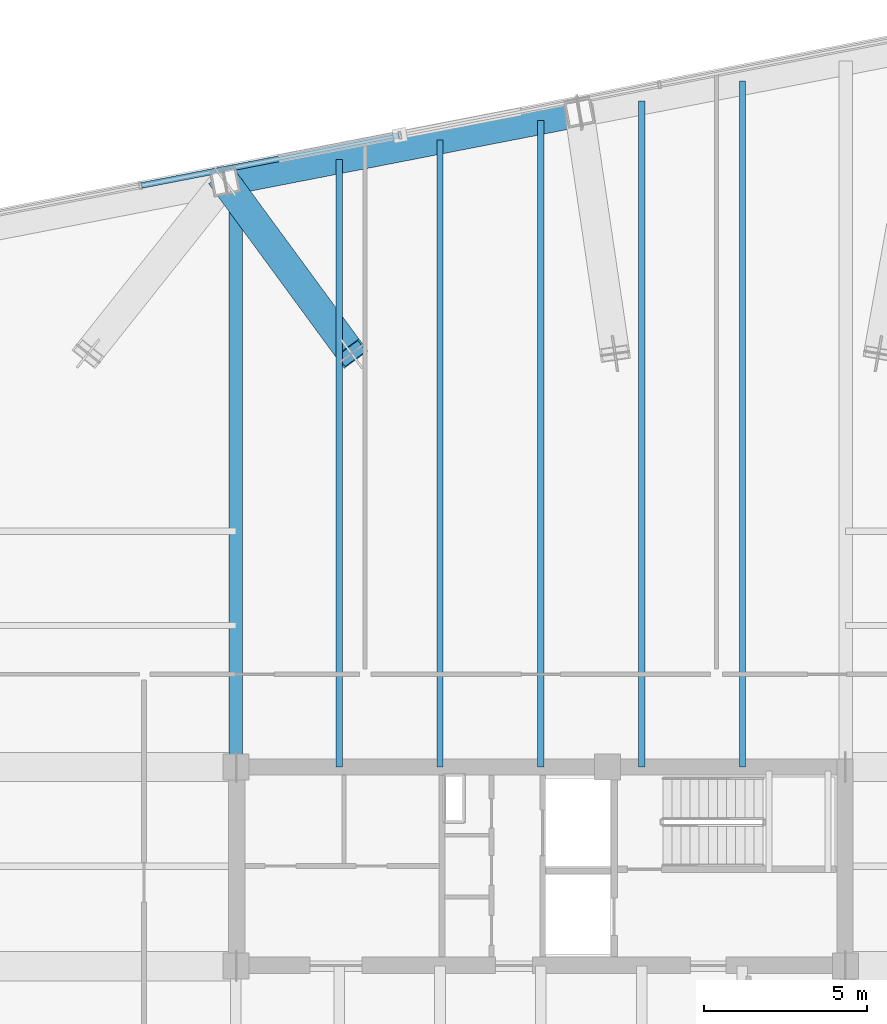
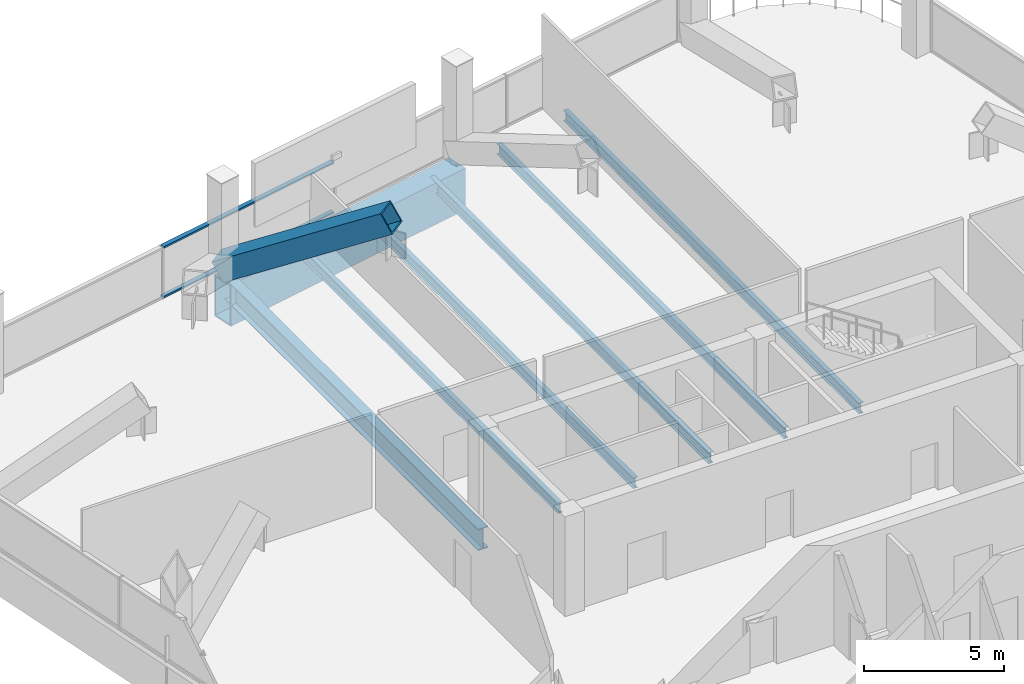
# One storey, part 13 of 26: 7 beams, 3 members, 1 element without a shape of its own.
"""IFC4 building model written with IfcOpenShell, lengths in metres."""

from ifc_helpers import new_model, si_unit, direction, frame, origin, origin_2d, place, context, subcontext, project, spatial, hollow_rectangle, i_section, extrude, material, layer, layer_set, material_profile, profile_set, type_object, element, aggregate, save


model = new_model("IFC4")

# Units and contexts
model_context = context("Model", 3, precision=1e-05, world=origin(), true_north=direction((0.0, 1.0)))
body_context = subcontext(model_context, "Body", "Model", "MODEL_VIEW")
ifc_project = project(units=[si_unit("LENGTHUNIT", "METRE"), si_unit("AREAUNIT", "SQUARE_METRE"), si_unit("VOLUMEUNIT", "CUBIC_METRE"), si_unit("PLANEANGLEUNIT", "RADIAN"), si_unit("MASSUNIT", "GRAM", prefix="KILO")], contexts=[model_context])

# Site, building, storey
site_placement = place(None, origin())
site = spatial("IfcSite", under=ifc_project, at=site_placement, CompositionType="ELEMENT")
building_placement = place(site_placement, origin())
building = spatial("IfcBuilding", under=site, at=building_placement, Name="Qhalaya Broadcast Tower", CompositionType="ELEMENT")
storey_placement = place(building_placement, frame((0.0, 0.0, 140.25)))
storey = spatial("IfcBuildingStorey", under=building, at=storey_placement, Name="L41", CompositionType="ELEMENT", Elevation=140.25)

# Beams
ifc_material_1 = material(Name="Structural Steel ASTM A572 Grade 50", Category="steel")
ifc_material_profile_1 = material_profile(ifc_material_1, hollow_rectangle(XDim=0.89990234375, YDim=1.800048828125, WallThickness=0.06005859375, at=origin_2d()), Name="BOX 900x1800x60")
ifc_profile_set_1 = profile_set([ifc_material_profile_1], Name="Structural Steel ASTM A572 Grade 50")
beam_type_1 = type_object("IfcBeamType", Name="Block Cantilever Transfer Box Girder TG1", PredefinedType="USERDEFINED", material=ifc_profile_set_1)
beam_1_placement = place(storey_placement, frame((1.183349609375, 30.078369140625, -1.1201171875), z_axis=(-0.981627979352, -0.190804900759, 0.0), x_axis=(0.190804900759, -0.981627979352, 0.0)))
element("IfcBeam", 1, at=beam_1_placement, inside=storey, type_object=beam_type_1, Name="L41 TG1 L41-SPR-10", ObjectType="GIRDER", PredefinedType="USERDEFINED", context=body_context, shape_type="SweptSolid", body=[
    extrude(hollow_rectangle(XDim=0.89990234375, YDim=1.800048828125, WallThickness=0.06005859375, at=origin_2d()), origin(), (0.0, 0.0, 1.0), 11.099853515625),
])
ifc_material_2 = material(Name="Structural Steel ASTM A992 Grade 50", Category="steel")
ifc_material_profile_2 = material_profile(ifc_material_2, i_section(OverallWidth=0.19189453125, OverallDepth=0.462890625, WebThickness=0.010498046875, FlangeThickness=0.017578125, at=origin_2d()), Name="W18X60")
ifc_profile_set_2 = profile_set([ifc_material_profile_2], Name="Structural Steel ASTM A992 Grade 50")
beam_type_2 = type_object("IfcBeamType", Name="Composite Floor Joist J03", PredefinedType="JOIST", material=ifc_profile_set_2)
beam_2_placement = place(storey_placement, frame((-6.199951171875, 9.949951171875, -0.451416015625), z_axis=(0.0, 1.0, 0.0), x_axis=(-1.0, 0.0, 0.0)))
element("IfcBeam", 2, at=beam_2_placement, inside=storey, type_object=beam_type_2, Name="L41 J03 L41-JNN1-1", PredefinedType="JOIST", context=body_context, shape_type="SweptSolid", body=[
    extrude(i_section(OverallWidth=0.19189453125, OverallDepth=0.462890625, WebThickness=0.010498046875, FlangeThickness=0.017578125, at=origin_2d()), origin(), (0.0, 0.0, 1.0), 18.6728515625),
])
beam_3_placement = place(storey_placement, frame((-3.10009765625, 9.949951171875, -0.451416015625), z_axis=(0.0, 1.0, 0.0), x_axis=(-1.0, 0.0, 0.0)))
element("IfcBeam", 3, at=beam_3_placement, inside=storey, type_object=beam_type_2, Name="L41 J03 L41-JNN2-1", PredefinedType="JOIST", context=body_context, shape_type="SweptSolid", body=[
    extrude(i_section(OverallWidth=0.19189453125, OverallDepth=0.462890625, WebThickness=0.010498046875, FlangeThickness=0.017578125, at=origin_2d()), origin(), (0.0, 0.0, 1.0), 19.275390625),
])
beam_4_placement = place(storey_placement, frame((0.0, 9.949951171875, -0.451416015625), z_axis=(0.0, 1.0, 0.0), x_axis=(-1.0, 0.0, 0.0)))
element("IfcBeam", 4, at=beam_4_placement, inside=storey, type_object=beam_type_2, Name="L41 J03 L41-JNN3-1", PredefinedType="JOIST", context=body_context, shape_type="SweptSolid", body=[
    extrude(i_section(OverallWidth=0.19189453125, OverallDepth=0.462890625, WebThickness=0.010498046875, FlangeThickness=0.017578125, at=origin_2d()), origin(), (0.0, 0.0, 1.0), 19.8779296875),
])
beam_5_placement = place(storey_placement, frame((3.10009765625, 9.949951171875, -0.451416015625), z_axis=(0.0, 1.0, 0.0), x_axis=(-1.0, 0.0, 0.0)))
element("IfcBeam", 5, at=beam_5_placement, inside=storey, type_object=beam_type_2, Name="L41 J03 L41-JNN4-1", PredefinedType="JOIST", context=body_context, shape_type="SweptSolid", body=[
    extrude(i_section(OverallWidth=0.19189453125, OverallDepth=0.462890625, WebThickness=0.010498046875, FlangeThickness=0.017578125, at=origin_2d()), origin(), (0.0, 0.0, 1.0), 20.480712890625),
])
beam_6_placement = place(storey_placement, frame((6.199951171875, 9.949951171875, -0.451416015625), z_axis=(0.0, 1.0, 0.0), x_axis=(-1.0, 0.0, 0.0)))
element("IfcBeam", 6, at=beam_6_placement, inside=storey, type_object=beam_type_2, Name="L41 J03 L41-JNN5-1", PredefinedType="JOIST", context=body_context, shape_type="SweptSolid", body=[
    extrude(i_section(OverallWidth=0.19189453125, OverallDepth=0.462890625, WebThickness=0.010498046875, FlangeThickness=0.017578125, at=origin_2d()), origin(), (0.0, 0.0, 1.0), 21.083251953125),
])

# Member
ifc_material_profile_3 = material_profile(ifc_material_1, hollow_rectangle(XDim=0.89990234375, YDim=0.89990234375, WallThickness=0.054931640625, at=origin_2d()), Name="BOX 900x900x55")
ifc_profile_set_3 = profile_set([ifc_material_profile_3], Name="Structural Steel ASTM A572 Grade 50")
member_type_1 = type_object("IfcMemberType", Name="Heavy Exoskeleton Transfer Strut RK1", PredefinedType="BRACE", material=ifc_profile_set_3)
member_1_placement = place(storey_placement, frame((-9.712646484375, 27.96044921875, 0.3955078125), z_axis=(0.507258057504, -0.69073505309, 0.515339062685), x_axis=(0.806004706234, 0.591909126074, 0.0)))
element("IfcMember", 7, at=member_1_placement, inside=storey, type_object=member_type_1, Name="L41 Inclined Exoskeleton Transfer Strut 11", PredefinedType="BRACE", context=body_context, shape_type="SweptSolid", body=[
    extrude(hollow_rectangle(XDim=0.89990234375, YDim=0.89990234375, WallThickness=0.054931640625, at=origin_2d()), origin(), (0.0, 0.0, 1.0), 7.673828125),
])

# Beam
ifc_material_profile_4 = material_profile(ifc_material_2, i_section(OverallWidth=0.4189453125, OverallDepth=0.927001953125, WebThickness=0.019287109375, FlangeThickness=0.031982421875, at=origin_2d()), Name="W36X231")
ifc_profile_set_4 = profile_set([ifc_material_profile_4], Name="Structural Steel ASTM A992 Grade 50")
beam_type_3 = type_object("IfcBeamType", Name="Mid Block Primary Girder PG3", PredefinedType="USERDEFINED", material=ifc_profile_set_4)
beam_7_placement = place(storey_placement, frame((-9.375, 9.949951171875, -0.68359375), z_axis=(0.0, 1.0, 0.0), x_axis=(-1.0, 0.0, 0.0)))
element("IfcBeam", 8, at=beam_7_placement, inside=storey, type_object=beam_type_3, Name="L41 PG3 L41-PGXN1-1", ObjectType="GIRDER", PredefinedType="USERDEFINED", context=body_context, shape_type="SweptSolid", body=[
    extrude(i_section(OverallWidth=0.4189453125, OverallDepth=0.927001953125, WebThickness=0.019287109375, FlangeThickness=0.031982421875, at=origin_2d()), origin(), (0.0, 0.0, 1.0), 18.0556640625),
])

# Curtain wall, members
ifc_material_3 = material(Name="Fired Architectural Terracotta", Category="masonry")
ifc_layer = layer(ifc_material_3, 0.219970703125, Name="Fired Architectural Terracotta")
ifc_layer_set = layer_set([ifc_layer], Name="Fired Architectural Terracotta")
curtain_wall_type = type_object("IfcCurtainWallType", Name="Block-Cap Unitised Terracotta Spandrel Wall CW-07", PredefinedType="NOTDEFINED", material=ifc_layer_set)
curtain_wall_placement = place(storey_placement, origin())
curtain_wall = element("IfcCurtainWall", 9, at=curtain_wall_placement, inside=storey, type_object=curtain_wall_type, Name="L41 Unitised Curtain Wall L41-CW-N", PredefinedType="NOTDEFINED")
ifc_material_4 = material(Name="Anodised Aluminium 6063-T6", Category="aluminium")
ifc_material_profile_5 = material_profile(ifc_material_4, hollow_rectangle(XDim=0.074951171875, YDim=0.179931640625, WallThickness=0.00390625, at=origin_2d()), Name="ALU-TRN 75x180x4")
ifc_profile_set_5 = profile_set([ifc_material_profile_5], Name="Anodised Aluminium 6063-T6")
member_type_2 = type_object("IfcMemberType", Name="Unitised Curtain-Wall Transom T01", PredefinedType="USERDEFINED", material=ifc_profile_set_5)
member_2_placement = place(storey_placement, frame((-12.278076171875, 27.828369140625, 0.03759765625), z_axis=(0.981628163132, 0.190803955268, 0.0), x_axis=(0.0, 0.0, 1.0)))
member_2 = element("IfcMember", 10, at=member_2_placement, type_object=member_type_2, Name="CW-07 transom 2.1", ObjectType="TRANSOM", PredefinedType="USERDEFINED", context=body_context, shape_type="SweptSolid", body=[
    extrude(hollow_rectangle(XDim=0.074951171875, YDim=0.179931640625, WallThickness=0.00390625, at=origin_2d()), origin(), (0.0, 0.0, 1.0), 8.055908203125),
])
member_3_placement = place(storey_placement, frame((-12.278076171875, 27.828369140625, 2.21240234375), z_axis=(0.981628163132, 0.190803955268, 0.0), x_axis=(0.0, 0.0, 1.0)))
member_3 = element("IfcMember", 11, at=member_3_placement, type_object=member_type_2, Name="CW-07 transom 2.2", ObjectType="TRANSOM", PredefinedType="USERDEFINED", context=body_context, shape_type="SweptSolid", body=[
    extrude(hollow_rectangle(XDim=0.074951171875, YDim=0.179931640625, WallThickness=0.00390625, at=origin_2d()), origin(), (0.0, 0.0, 1.0), 8.055908203125),
])
aggregate(curtain_wall, [member_2, member_3])

save(model, "model.ifc")
